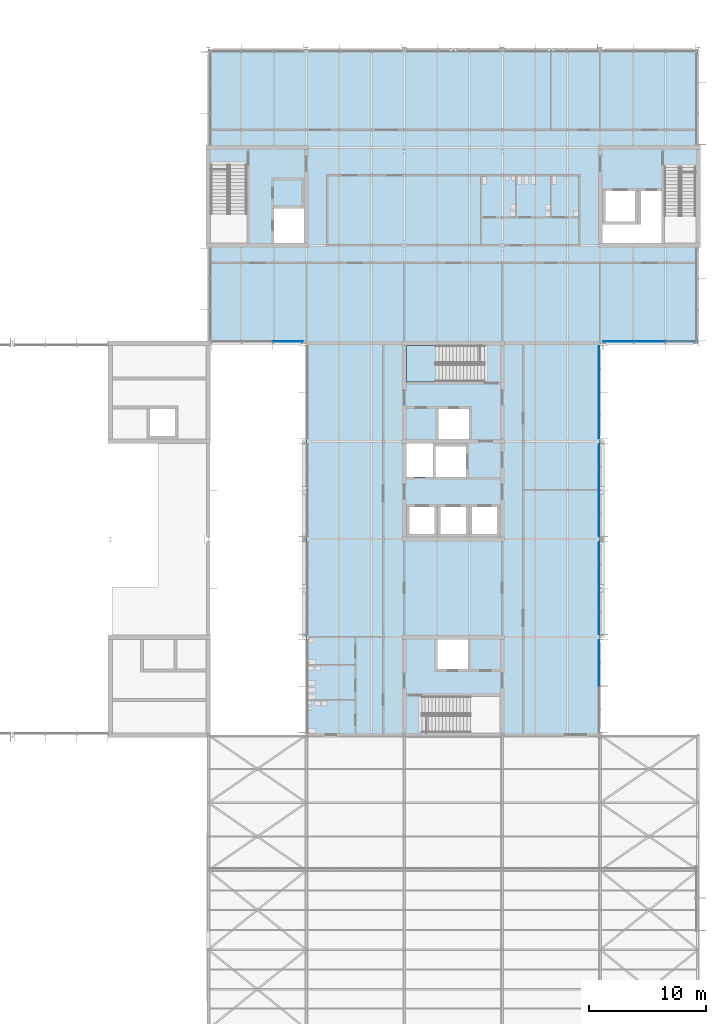
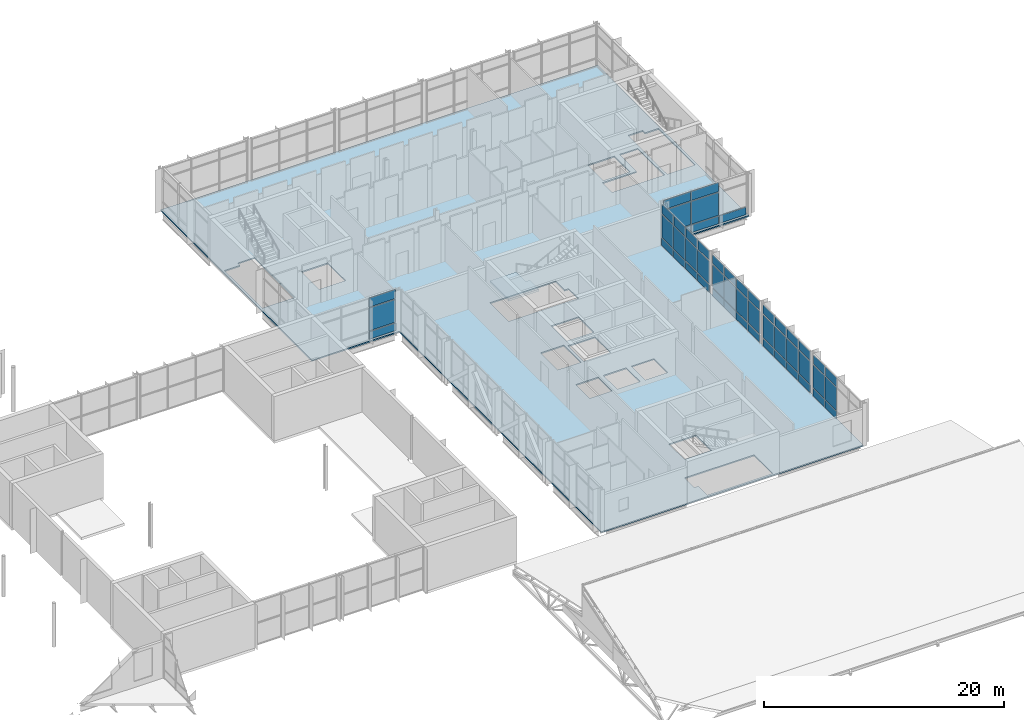
# One storey, part 43 of 89: 52 plates, 2 slabs, 7 elements without a shape of their own.
"""IFC4 building model written with IfcOpenShell, lengths in metres."""

from ifc_helpers import new_model, si_unit, direction, frame, origin, origin_2d, place, context, subcontext, project, spatial, polyline, rectangle, outline, extrude, material, layer, layer_set, type_object, element, aggregate, save


model = new_model("IFC4")

# Units and contexts
model_context = context("Model", 3, precision=1e-05, world=origin(), true_north=direction((0.0, 1.0)))
body_context = subcontext(model_context, "Body", "Model", "MODEL_VIEW")
ifc_project = project(units=[si_unit("LENGTHUNIT", "METRE"), si_unit("AREAUNIT", "SQUARE_METRE"), si_unit("VOLUMEUNIT", "CUBIC_METRE"), si_unit("PLANEANGLEUNIT", "RADIAN"), si_unit("MASSUNIT", "GRAM", prefix="KILO")], contexts=[model_context])

# Site, building, storey
site_placement = place(None, origin())
site = spatial("IfcSite", under=ifc_project, at=site_placement, CompositionType="ELEMENT")
building_placement = place(site_placement, origin())
building = spatial("IfcBuilding", under=site, at=building_placement, Name="Hlaing Beacon Police Headquarters", CompositionType="ELEMENT")
storey_placement = place(building_placement, frame((0.0, 0.0, 9.89990234375)))
storey = spatial("IfcBuildingStorey", under=building, at=storey_placement, Name="L02", CompositionType="ELEMENT", Elevation=9.89990234375)

# Curtain wall, plate
ifc_material_1 = material(Name="Aluminium frame with solar control glazing", Category="aluminium")
curtain_wall_type_1 = type_object("IfcCurtainWallType", Name="Unitised curtain wall 7.99 x 4.37", PredefinedType="NOTDEFINED", material=ifc_material_1)
curtain_wall_1_placement = place(storey_placement, origin())
curtain_wall_1 = element("IfcCurtainWall", 1, at=curtain_wall_1_placement, inside=storey, type_object=curtain_wall_type_1, Name="ENV-CW-L02-E015", PredefinedType="NOTDEFINED")
ifc_material_2 = material(Name="Solar control glazing", Category="glass")
ifc_layer_1 = layer(ifc_material_2, 0.0439453125)
ifc_layer_set_1 = layer_set([ifc_layer_1], Name="Solar control glazing")
plate_type_1 = type_object("IfcPlateType", Name="Clear glazing panel 44", PredefinedType="CURTAIN_PANEL", material=ifc_layer_set_1)
plate_1_placement = place(storey_placement, frame((125.89990234375, 40.792724609375, 0.9501953125), z_axis=(0.0, 0.0, 1.0), x_axis=(0.0, 1.0, 0.0)))
plate_1 = element("IfcPlate", 2, at=plate_1_placement, type_object=plate_type_1, Name="CW-L02-E015 panel 4.2", PredefinedType="CURTAIN_PANEL", context=body_context, shape_type="SweptSolid", body=[
    extrude(rectangle(XDim=1.90869140625, YDim=0.0439453125, at=origin_2d()), origin(), (0.0, 0.0, 1.0), 2.300048828125),
])

# Curtain wall, plates
ifc_material_3 = material(Name="Aluminium frame with solar control glazing", Category="aluminium")
curtain_wall_type_2 = type_object("IfcCurtainWallType", Name="Unitised curtain wall 8.01 x 4.37", PredefinedType="NOTDEFINED", material=ifc_material_3)
curtain_wall_2_placement = place(storey_placement, origin())
curtain_wall_2 = element("IfcCurtainWall", 3, at=curtain_wall_2_placement, inside=storey, type_object=curtain_wall_type_2, Name="ENV-CW-L02-E016", PredefinedType="NOTDEFINED")
plate_2_placement = place(storey_placement, frame((125.909912109375, 45.1982421875, 0.9501953125), z_axis=(0.0, 0.0, 1.0), x_axis=(0.0, 1.0, 0.0)))
plate_2 = element("IfcPlate", 4, at=plate_2_placement, type_object=plate_type_1, Name="CW-L02-E016 panel 2.2", PredefinedType="CURTAIN_PANEL", context=body_context, shape_type="SweptSolid", body=[
    extrude(rectangle(XDim=1.943603515625, YDim=0.0439453125, at=origin_2d()), origin(), (0.0, 0.0, 1.0), 2.300048828125),
])
plate_3_placement = place(storey_placement, frame((125.909912109375, 49.190185546875, 0.9501953125), z_axis=(0.0, 0.0, 1.0), x_axis=(0.0, 1.0, 0.0)))
plate_3 = element("IfcPlate", 5, at=plate_3_placement, type_object=plate_type_1, Name="CW-L02-E016 panel 4.2", PredefinedType="CURTAIN_PANEL", context=body_context, shape_type="SweptSolid", body=[
    extrude(rectangle(XDim=1.91357421875, YDim=0.0439453125, at=origin_2d()), origin(), (0.0, 0.0, 1.0), 2.300048828125),
])

curtain_wall_3_placement = place(storey_placement, origin())
curtain_wall_3 = element("IfcCurtainWall", 6, at=curtain_wall_3_placement, inside=storey, type_object=curtain_wall_type_2, Name="ENV-CW-L02-E017", PredefinedType="NOTDEFINED")
plate_4_placement = place(storey_placement, frame((125.909912109375, 53.59814453125, 0.9501953125), z_axis=(0.0, 0.0, 1.0), x_axis=(0.0, 1.0, 0.0)))
plate_4 = element("IfcPlate", 7, at=plate_4_placement, type_object=plate_type_1, Name="CW-L02-E017 panel 2.2", PredefinedType="CURTAIN_PANEL", context=body_context, shape_type="SweptSolid", body=[
    extrude(rectangle(XDim=1.943603515625, YDim=0.0439453125, at=origin_2d()), origin(), (0.0, 0.0, 1.0), 2.300048828125),
])
plate_5_placement = place(storey_placement, frame((125.909912109375, 57.59033203125, 0.9501953125), z_axis=(0.0, 0.0, 1.0), x_axis=(0.0, 1.0, 0.0)))
plate_5 = element("IfcPlate", 8, at=plate_5_placement, type_object=plate_type_1, Name="CW-L02-E017 panel 4.2", PredefinedType="CURTAIN_PANEL", context=body_context, shape_type="SweptSolid", body=[
    extrude(rectangle(XDim=1.91357421875, YDim=0.0439453125, at=origin_2d()), origin(), (0.0, 0.0, 1.0), 2.300048828125),
])

ifc_material_4 = material(Name="Aluminium frame with solar control glazing", Category="aluminium")
curtain_wall_type_3 = type_object("IfcCurtainWallType", Name="Unitised curtain wall 8.02 x 4.37", PredefinedType="NOTDEFINED", material=ifc_material_4)
curtain_wall_4_placement = place(storey_placement, origin())
curtain_wall_4 = element("IfcCurtainWall", 9, at=curtain_wall_4_placement, inside=storey, type_object=curtain_wall_type_3, Name="ENV-CW-L02-E018", PredefinedType="NOTDEFINED")
plate_6_placement = place(storey_placement, frame((125.89990234375, 62.000244140625, 0.9501953125), z_axis=(0.0, 0.0, 1.0), x_axis=(0.0, 1.0, 0.0)))
plate_6 = element("IfcPlate", 10, at=plate_6_placement, type_object=plate_type_1, Name="CW-L02-E018 panel 2.2", PredefinedType="CURTAIN_PANEL", context=body_context, shape_type="SweptSolid", body=[
    extrude(rectangle(XDim=1.94482421875, YDim=0.0439453125, at=origin_2d()), origin(), (0.0, 0.0, 1.0), 2.300048828125),
])
plate_7_placement = place(storey_placement, frame((125.89990234375, 65.99462890625, 0.9501953125), z_axis=(0.0, 0.0, 1.0), x_axis=(0.0, 1.0, 0.0)))
plate_7 = element("IfcPlate", 11, at=plate_7_placement, type_object=plate_type_1, Name="CW-L02-E018 panel 4.2", PredefinedType="CURTAIN_PANEL", context=body_context, shape_type="SweptSolid", body=[
    extrude(rectangle(XDim=1.914794921875, YDim=0.0439453125, at=origin_2d()), origin(), (0.0, 0.0, 1.0), 2.300048828125),
])

# Slab
ifc_material_5 = material(Name="Concrete C40/50", Category="concrete")
ifc_layer_2 = layer(ifc_material_5, 0.1298828125)
ifc_layer_set_2 = layer_set([ifc_layer_2], Name="Concrete C40/50")
slab_type_1 = type_object("IfcSlabType", Name="Composite deck slab 130", PredefinedType="FLOOR", material=ifc_layer_set_2)
slab_1_placement = place(storey_placement, frame((0.0, 0.0, -0.1298828125)))
element("IfcSlab", 12, at=slab_1_placement, inside=storey, type_object=slab_type_1, Name="STR-SLAB-L02-02", PredefinedType="FLOOR", context=body_context, shape_type="SweptSolid", body=[
    extrude(outline(polyline([(100.800048828125, 33.60009765625), (126.0, 33.60009765625), (126.0, 67.199951171875), (134.39990234375, 67.199951171875), (134.39990234375, 92.39990234375), (92.39990234375, 92.39990234375), (92.39990234375, 67.199951171875), (100.800048828125, 67.199951171875), (100.800048828125, 33.60009765625)]), holes=[polyline([(92.60009765625, 75.800048828125), (95.699951171875, 75.800048828125), (95.699951171875, 82.489990234375), (94.10009765625, 82.489990234375), (94.10009765625, 82.10009765625), (92.60009765625, 82.10009765625), (92.60009765625, 75.800048828125)]), polyline([(98.050048828125, 75.800048828125), (100.60009765625, 75.800048828125), (100.60009765625, 78.75), (98.050048828125, 78.75), (98.050048828125, 75.800048828125)]), polyline([(109.39990234375, 55.75), (111.64990234375, 55.75), (111.64990234375, 58.60009765625), (109.39990234375, 58.60009765625), (109.39990234375, 55.75)]), polyline([(109.39990234375, 63.89990234375), (116.090087890625, 63.89990234375), (116.090087890625, 65.5), (115.699951171875, 65.5), (115.699951171875, 67.0), (109.39990234375, 67.0), (109.39990234375, 63.89990234375)]), polyline([(109.64990234375, 50.85009765625), (111.800048828125, 50.85009765625), (111.800048828125, 53.14990234375), (109.64990234375, 53.14990234375), (109.64990234375, 50.85009765625)]), polyline([(111.10009765625, 33.800048828125), (117.39990234375, 33.800048828125), (117.39990234375, 36.89990234375), (110.7099609375, 36.89990234375), (110.7099609375, 35.300048828125), (111.10009765625, 35.300048828125), (111.10009765625, 33.800048828125)]), polyline([(111.89990234375, 55.75), (114.5, 55.75), (114.5, 58.35009765625), (111.89990234375, 58.35009765625), (111.89990234375, 55.75)]), polyline([(112.050048828125, 39.25), (114.64990234375, 39.25), (114.64990234375, 41.800048828125), (112.050048828125, 41.800048828125), (112.050048828125, 39.25)]), polyline([(112.14990234375, 59.0), (114.75, 59.0), (114.75, 61.550048828125), (112.14990234375, 61.550048828125), (112.14990234375, 59.0)]), polyline([(112.300048828125, 50.85009765625), (114.5, 50.85009765625), (114.5, 53.14990234375), (112.300048828125, 53.14990234375), (112.300048828125, 50.85009765625)]), polyline([(115.0, 50.85009765625), (117.14990234375, 50.85009765625), (117.14990234375, 53.14990234375), (115.0, 53.14990234375), (115.0, 50.85009765625)]), polyline([(126.199951171875, 75.800048828125), (131.25, 75.800048828125), (131.25, 80.25), (129.5, 80.25), (129.5, 77.39990234375), (126.199951171875, 77.39990234375), (126.199951171875, 75.800048828125)]), polyline([(126.449951171875, 77.64990234375), (129.0, 77.64990234375), (129.0, 80.25), (126.449951171875, 80.25), (126.449951171875, 77.64990234375)]), polyline([(131.5, 75.800048828125), (134.199951171875, 75.800048828125), (134.199951171875, 81.89990234375), (132.89990234375, 81.89990234375), (132.89990234375, 82.2900390625), (131.5, 82.2900390625), (131.5, 75.800048828125)])]), origin(), (0.0, 0.0, 1.0), 0.1298828125),
])

# Plate
ifc_material_6 = material(Name="Fritted solar control glazing", Category="glass")
ifc_layer_3 = layer(ifc_material_6, 0.0439453125)
ifc_layer_set_3 = layer_set([ifc_layer_3], Name="Fritted solar control glazing")
plate_type_2 = type_object("IfcPlateType", Name="Fritted glazing panel 44", PredefinedType="CURTAIN_PANEL", material=ifc_layer_set_3)
plate_8_placement = place(storey_placement, frame((125.89990234375, 38.808837890625, 0.9501953125), z_axis=(0.0, 0.0, 1.0), x_axis=(0.0, 1.0, 0.0)))
plate_8 = element("IfcPlate", 13, at=plate_8_placement, type_object=plate_type_2, Name="CW-L02-E015 panel 3.2", PredefinedType="CURTAIN_PANEL", context=body_context, shape_type="SweptSolid", body=[
    extrude(rectangle(XDim=1.938720703125, YDim=0.0439453125, at=origin_2d()), origin(), (0.0, 0.0, 1.0), 2.300048828125),
])

plate_9_placement = place(storey_placement, frame((125.909912109375, 43.209716796875, 0.9501953125), z_axis=(0.0, 0.0, 1.0), x_axis=(0.0, 1.0, 0.0)))
plate_9 = element("IfcPlate", 14, at=plate_9_placement, type_object=plate_type_2, Name="CW-L02-E016 panel 1.2", PredefinedType="CURTAIN_PANEL", context=body_context, shape_type="SweptSolid", body=[
    extrude(rectangle(XDim=1.91357421875, YDim=0.0439453125, at=origin_2d()), origin(), (0.0, 0.0, 1.0), 2.300048828125),
])

plate_10_placement = place(storey_placement, frame((125.909912109375, 47.20166015625, 0.9501953125), z_axis=(0.0, 0.0, 1.0), x_axis=(0.0, 1.0, 0.0)))
plate_10 = element("IfcPlate", 15, at=plate_10_placement, type_object=plate_type_2, Name="CW-L02-E016 panel 3.2", PredefinedType="CURTAIN_PANEL", context=body_context, shape_type="SweptSolid", body=[
    extrude(rectangle(XDim=1.943603515625, YDim=0.0439453125, at=origin_2d()), origin(), (0.0, 0.0, 1.0), 2.300048828125),
])

plate_11_placement = place(storey_placement, frame((125.909912109375, 51.60986328125, 0.9501953125), z_axis=(0.0, 0.0, 1.0), x_axis=(0.0, 1.0, 0.0)))
plate_11 = element("IfcPlate", 16, at=plate_11_placement, type_object=plate_type_2, Name="CW-L02-E017 panel 1.2", PredefinedType="CURTAIN_PANEL", context=body_context, shape_type="SweptSolid", body=[
    extrude(rectangle(XDim=1.91357421875, YDim=0.0439453125, at=origin_2d()), origin(), (0.0, 0.0, 1.0), 2.300048828125),
])

plate_12_placement = place(storey_placement, frame((125.909912109375, 55.601806640625, 0.9501953125), z_axis=(0.0, 0.0, 1.0), x_axis=(0.0, 1.0, 0.0)))
plate_12 = element("IfcPlate", 17, at=plate_12_placement, type_object=plate_type_2, Name="CW-L02-E017 panel 3.2", PredefinedType="CURTAIN_PANEL", context=body_context, shape_type="SweptSolid", body=[
    extrude(rectangle(XDim=1.943603515625, YDim=0.0439453125, at=origin_2d()), origin(), (0.0, 0.0, 1.0), 2.300048828125),
])

plate_13_placement = place(storey_placement, frame((125.89990234375, 60.01025390625, 0.9501953125), z_axis=(0.0, 0.0, 1.0), x_axis=(0.0, 1.0, 0.0)))
plate_13 = element("IfcPlate", 18, at=plate_13_placement, type_object=plate_type_2, Name="CW-L02-E018 panel 1.2", PredefinedType="CURTAIN_PANEL", context=body_context, shape_type="SweptSolid", body=[
    extrude(rectangle(XDim=1.914794921875, YDim=0.0439453125, at=origin_2d()), origin(), (0.0, 0.0, 1.0), 2.300048828125),
])

plate_14_placement = place(storey_placement, frame((125.89990234375, 64.0048828125, 0.9501953125), z_axis=(0.0, 0.0, 1.0), x_axis=(0.0, 1.0, 0.0)))
plate_14 = element("IfcPlate", 19, at=plate_14_placement, type_object=plate_type_2, Name="CW-L02-E018 panel 3.2", PredefinedType="CURTAIN_PANEL", context=body_context, shape_type="SweptSolid", body=[
    extrude(rectangle(XDim=1.94482421875, YDim=0.0439453125, at=origin_2d()), origin(), (0.0, 0.0, 1.0), 2.300048828125),
])

ifc_material_7 = material(Name="Insulated aluminium spandrel", Category="aluminium")
ifc_layer_4 = layer(ifc_material_7, 0.06005859375)
ifc_layer_set_4 = layer_set([ifc_layer_4], Name="Insulated aluminium spandrel")
plate_type_3 = type_object("IfcPlateType", Name="Insulated spandrel panel 60", PredefinedType="CURTAIN_PANEL", material=ifc_layer_set_4)
plate_15_placement = place(storey_placement, frame((125.89990234375, 38.808837890625, 0.10009765625), z_axis=(0.0, 0.0, 1.0), x_axis=(0.0, 1.0, 0.0)))
plate_15 = element("IfcPlate", 20, at=plate_15_placement, type_object=plate_type_3, Name="CW-L02-E015 panel 3.1", PredefinedType="CURTAIN_PANEL", context=body_context, shape_type="SweptSolid", body=[
    extrude(rectangle(XDim=1.938720703125, YDim=0.06005859375, at=origin_2d()), origin(), (0.0, 0.0, 1.0), 0.75),
])

plate_16_placement = place(storey_placement, frame((125.89990234375, 40.792724609375, 0.10009765625), z_axis=(0.0, 0.0, 1.0), x_axis=(0.0, 1.0, 0.0)))
plate_16 = element("IfcPlate", 21, at=plate_16_placement, type_object=plate_type_3, Name="CW-L02-E015 panel 4.1", PredefinedType="CURTAIN_PANEL", context=body_context, shape_type="SweptSolid", body=[
    extrude(rectangle(XDim=1.90869140625, YDim=0.06005859375, at=origin_2d()), origin(), (0.0, 0.0, 1.0), 0.75),
])

plate_17_placement = place(storey_placement, frame((125.909912109375, 43.209716796875, 0.10009765625), z_axis=(0.0, 0.0, 1.0), x_axis=(0.0, 1.0, 0.0)))
plate_17 = element("IfcPlate", 22, at=plate_17_placement, type_object=plate_type_3, Name="CW-L02-E016 panel 1.1", PredefinedType="CURTAIN_PANEL", context=body_context, shape_type="SweptSolid", body=[
    extrude(rectangle(XDim=1.91357421875, YDim=0.06005859375, at=origin_2d()), origin(), (0.0, 0.0, 1.0), 0.75),
])

plate_18_placement = place(storey_placement, frame((125.909912109375, 45.1982421875, 0.10009765625), z_axis=(0.0, 0.0, 1.0), x_axis=(0.0, 1.0, 0.0)))
plate_18 = element("IfcPlate", 23, at=plate_18_placement, type_object=plate_type_3, Name="CW-L02-E016 panel 2.1", PredefinedType="CURTAIN_PANEL", context=body_context, shape_type="SweptSolid", body=[
    extrude(rectangle(XDim=1.943603515625, YDim=0.06005859375, at=origin_2d()), origin(), (0.0, 0.0, 1.0), 0.75),
])

plate_19_placement = place(storey_placement, frame((125.909912109375, 47.20166015625, 0.10009765625), z_axis=(0.0, 0.0, 1.0), x_axis=(0.0, 1.0, 0.0)))
plate_19 = element("IfcPlate", 24, at=plate_19_placement, type_object=plate_type_3, Name="CW-L02-E016 panel 3.1", PredefinedType="CURTAIN_PANEL", context=body_context, shape_type="SweptSolid", body=[
    extrude(rectangle(XDim=1.943603515625, YDim=0.06005859375, at=origin_2d()), origin(), (0.0, 0.0, 1.0), 0.75),
])

plate_20_placement = place(storey_placement, frame((125.909912109375, 49.190185546875, 0.10009765625), z_axis=(0.0, 0.0, 1.0), x_axis=(0.0, 1.0, 0.0)))
plate_20 = element("IfcPlate", 25, at=plate_20_placement, type_object=plate_type_3, Name="CW-L02-E016 panel 4.1", PredefinedType="CURTAIN_PANEL", context=body_context, shape_type="SweptSolid", body=[
    extrude(rectangle(XDim=1.91357421875, YDim=0.06005859375, at=origin_2d()), origin(), (0.0, 0.0, 1.0), 0.75),
])

plate_21_placement = place(storey_placement, frame((125.909912109375, 51.60986328125, 0.10009765625), z_axis=(0.0, 0.0, 1.0), x_axis=(0.0, 1.0, 0.0)))
plate_21 = element("IfcPlate", 26, at=plate_21_placement, type_object=plate_type_3, Name="CW-L02-E017 panel 1.1", PredefinedType="CURTAIN_PANEL", context=body_context, shape_type="SweptSolid", body=[
    extrude(rectangle(XDim=1.91357421875, YDim=0.06005859375, at=origin_2d()), origin(), (0.0, 0.0, 1.0), 0.75),
])

plate_22_placement = place(storey_placement, frame((125.909912109375, 53.59814453125, 0.10009765625), z_axis=(0.0, 0.0, 1.0), x_axis=(0.0, 1.0, 0.0)))
plate_22 = element("IfcPlate", 27, at=plate_22_placement, type_object=plate_type_3, Name="CW-L02-E017 panel 2.1", PredefinedType="CURTAIN_PANEL", context=body_context, shape_type="SweptSolid", body=[
    extrude(rectangle(XDim=1.943603515625, YDim=0.06005859375, at=origin_2d()), origin(), (0.0, 0.0, 1.0), 0.75),
])

plate_23_placement = place(storey_placement, frame((125.909912109375, 55.601806640625, 0.10009765625), z_axis=(0.0, 0.0, 1.0), x_axis=(0.0, 1.0, 0.0)))
plate_23 = element("IfcPlate", 28, at=plate_23_placement, type_object=plate_type_3, Name="CW-L02-E017 panel 3.1", PredefinedType="CURTAIN_PANEL", context=body_context, shape_type="SweptSolid", body=[
    extrude(rectangle(XDim=1.943603515625, YDim=0.06005859375, at=origin_2d()), origin(), (0.0, 0.0, 1.0), 0.75),
])

plate_24_placement = place(storey_placement, frame((125.909912109375, 57.59033203125, 0.10009765625), z_axis=(0.0, 0.0, 1.0), x_axis=(0.0, 1.0, 0.0)))
plate_24 = element("IfcPlate", 29, at=plate_24_placement, type_object=plate_type_3, Name="CW-L02-E017 panel 4.1", PredefinedType="CURTAIN_PANEL", context=body_context, shape_type="SweptSolid", body=[
    extrude(rectangle(XDim=1.91357421875, YDim=0.06005859375, at=origin_2d()), origin(), (0.0, 0.0, 1.0), 0.75),
])

plate_25_placement = place(storey_placement, frame((125.89990234375, 60.01025390625, 0.10009765625), z_axis=(0.0, 0.0, 1.0), x_axis=(0.0, 1.0, 0.0)))
plate_25 = element("IfcPlate", 30, at=plate_25_placement, type_object=plate_type_3, Name="CW-L02-E018 panel 1.1", PredefinedType="CURTAIN_PANEL", context=body_context, shape_type="SweptSolid", body=[
    extrude(rectangle(XDim=1.914794921875, YDim=0.06005859375, at=origin_2d()), origin(), (0.0, 0.0, 1.0), 0.75),
])

plate_26_placement = place(storey_placement, frame((125.89990234375, 62.000244140625, 0.10009765625), z_axis=(0.0, 0.0, 1.0), x_axis=(0.0, 1.0, 0.0)))
plate_26 = element("IfcPlate", 31, at=plate_26_placement, type_object=plate_type_3, Name="CW-L02-E018 panel 2.1", PredefinedType="CURTAIN_PANEL", context=body_context, shape_type="SweptSolid", body=[
    extrude(rectangle(XDim=1.94482421875, YDim=0.06005859375, at=origin_2d()), origin(), (0.0, 0.0, 1.0), 0.75),
])

plate_27_placement = place(storey_placement, frame((125.89990234375, 64.0048828125, 0.10009765625), z_axis=(0.0, 0.0, 1.0), x_axis=(0.0, 1.0, 0.0)))
plate_27 = element("IfcPlate", 32, at=plate_27_placement, type_object=plate_type_3, Name="CW-L02-E018 panel 3.1", PredefinedType="CURTAIN_PANEL", context=body_context, shape_type="SweptSolid", body=[
    extrude(rectangle(XDim=1.94482421875, YDim=0.06005859375, at=origin_2d()), origin(), (0.0, 0.0, 1.0), 0.75),
])

plate_28_placement = place(storey_placement, frame((125.89990234375, 65.99462890625, 0.10009765625), z_axis=(0.0, 0.0, 1.0), x_axis=(0.0, 1.0, 0.0)))
plate_28 = element("IfcPlate", 33, at=plate_28_placement, type_object=plate_type_3, Name="CW-L02-E018 panel 4.1", PredefinedType="CURTAIN_PANEL", context=body_context, shape_type="SweptSolid", body=[
    extrude(rectangle(XDim=1.914794921875, YDim=0.06005859375, at=origin_2d()), origin(), (0.0, 0.0, 1.0), 0.75),
])

# Curtain wall, plates
ifc_material_8 = material(Name="Aluminium frame with solar control glazing", Category="aluminium")
curtain_wall_type_4 = type_object("IfcCurtainWallType", Name="Structural glazed gable wall 8.08 x 4.37", PredefinedType="NOTDEFINED", material=ifc_material_8)
curtain_wall_5_placement = place(storey_placement, origin())
curtain_wall_5 = element("IfcCurtainWall", 34, at=curtain_wall_5_placement, inside=storey, type_object=curtain_wall_type_4, Name="ENV-CW-L02-S019", PredefinedType="NOTDEFINED")
ifc_material_9 = material(Name="Insulated aluminium spandrel", Category="aluminium")
ifc_layer_5 = layer(ifc_material_9, 0.080078125)
ifc_layer_set_5 = layer_set([ifc_layer_5], Name="Insulated aluminium spandrel")
plate_type_4 = type_object("IfcPlateType", Name="Insulated spandrel panel 80", PredefinedType="CURTAIN_PANEL", material=ifc_layer_set_5)
plate_29_placement = place(storey_placement, frame((127.562744140625, 67.35009765625, 0.10009765625), z_axis=(0.0, 0.0, 1.0), x_axis=(1.0, 0.0, 0.0)))
plate_29 = element("IfcPlate", 35, at=plate_29_placement, type_object=plate_type_4, Name="CW-L02-S019 panel 1.1", PredefinedType="CURTAIN_PANEL", context=body_context, shape_type="SweptSolid", body=[
    extrude(rectangle(XDim=2.572021484375, YDim=0.080078125, at=origin_2d()), origin(), (0.0, 0.0, 1.0), 0.75),
])
plate_30_placement = place(storey_placement, frame((130.23486328125, 67.35009765625, 0.10009765625), z_axis=(0.0, 0.0, 1.0), x_axis=(1.0, 0.0, 0.0)))
plate_30 = element("IfcPlate", 36, at=plate_30_placement, type_object=plate_type_4, Name="CW-L02-S019 panel 2.1", PredefinedType="CURTAIN_PANEL", context=body_context, shape_type="SweptSolid", body=[
    extrude(rectangle(XDim=2.612060546875, YDim=0.080078125, at=origin_2d()), origin(), (0.0, 0.0, 1.0), 0.75),
])
plate_31_placement = place(storey_placement, frame((132.906982421875, 67.35009765625, 0.10009765625), z_axis=(0.0, 0.0, 1.0), x_axis=(1.0, 0.0, 0.0)))
plate_31 = element("IfcPlate", 37, at=plate_31_placement, type_object=plate_type_4, Name="CW-L02-S019 panel 3.1", PredefinedType="CURTAIN_PANEL", context=body_context, shape_type="SweptSolid", body=[
    extrude(rectangle(XDim=2.572021484375, YDim=0.080078125, at=origin_2d()), origin(), (0.0, 0.0, 1.0), 0.75),
])

# Curtain wall, plate
ifc_material_10 = material(Name="Aluminium frame with solar control glazing", Category="aluminium")
curtain_wall_type_5 = type_object("IfcCurtainWallType", Name="Structural glazed gable wall 8.00 x 4.37", PredefinedType="NOTDEFINED", material=ifc_material_10)
curtain_wall_6_placement = place(storey_placement, origin())
curtain_wall_6 = element("IfcCurtainWall", 38, at=curtain_wall_6_placement, inside=storey, type_object=curtain_wall_type_5, Name="ENV-CW-L02-S029", PredefinedType="NOTDEFINED")
plate_32_placement = place(storey_placement, frame((99.249267578125, 67.35009765625, 0.10009765625), z_axis=(0.0, 0.0, 1.0), x_axis=(1.0, 0.0, 0.0)))
plate_32 = element("IfcPlate", 39, at=plate_32_placement, type_object=plate_type_4, Name="CW-L02-S029 panel 3.1", PredefinedType="CURTAIN_PANEL", context=body_context, shape_type="SweptSolid", body=[
    extrude(rectangle(XDim=2.5478515625, YDim=0.080078125, at=origin_2d()), origin(), (0.0, 0.0, 1.0), 0.75),
])

# Plate
ifc_material_11 = material(Name="Laminated solar control glazing", Category="glass")
ifc_layer_6 = layer(ifc_material_11, 0.031982421875)
ifc_layer_set_6 = layer_set([ifc_layer_6], Name="Laminated solar control glazing")
plate_type_5 = type_object("IfcPlateType", Name="Laminated glazing panel 32", PredefinedType="CURTAIN_PANEL", material=ifc_layer_set_6)
plate_33_placement = place(storey_placement, frame((127.562744140625, 67.35009765625, 3.35009765625), z_axis=(0.0, 0.0, 1.0), x_axis=(1.0, 0.0, 0.0)))
plate_33 = element("IfcPlate", 40, at=plate_33_placement, type_object=plate_type_5, Name="CW-L02-S019 panel 1.3", PredefinedType="CURTAIN_PANEL", context=body_context, shape_type="SweptSolid", body=[
    extrude(rectangle(XDim=2.572021484375, YDim=0.031982421875, at=origin_2d()), origin(), (0.0, 0.0, 1.0), 0.919921875),
])

plate_34_placement = place(storey_placement, frame((130.23486328125, 67.35009765625, 3.35009765625), z_axis=(0.0, 0.0, 1.0), x_axis=(1.0, 0.0, 0.0)))
plate_34 = element("IfcPlate", 41, at=plate_34_placement, type_object=plate_type_5, Name="CW-L02-S019 panel 2.3", PredefinedType="CURTAIN_PANEL", context=body_context, shape_type="SweptSolid", body=[
    extrude(rectangle(XDim=2.612060546875, YDim=0.031982421875, at=origin_2d()), origin(), (0.0, 0.0, 1.0), 0.919921875),
])

plate_35_placement = place(storey_placement, frame((99.249267578125, 67.35009765625, 3.35009765625), z_axis=(0.0, 0.0, 1.0), x_axis=(1.0, 0.0, 0.0)))
plate_35 = element("IfcPlate", 42, at=plate_35_placement, type_object=plate_type_5, Name="CW-L02-S029 panel 3.3", PredefinedType="CURTAIN_PANEL", context=body_context, shape_type="SweptSolid", body=[
    extrude(rectangle(XDim=2.5478515625, YDim=0.031982421875, at=origin_2d()), origin(), (0.0, 0.0, 1.0), 0.919921875),
])

ifc_material_12 = material(Name="Laminated solar control glazing", Category="glass")
ifc_layer_7 = layer(ifc_material_12, 0.0439453125)
ifc_layer_set_7 = layer_set([ifc_layer_7], Name="Laminated solar control glazing")
plate_type_6 = type_object("IfcPlateType", Name="Laminated glazing panel 44", PredefinedType="CURTAIN_PANEL", material=ifc_layer_set_7)
plate_36_placement = place(storey_placement, frame((99.249267578125, 67.35009765625, 0.9501953125), z_axis=(0.0, 0.0, 1.0), x_axis=(1.0, 0.0, 0.0)))
plate_36 = element("IfcPlate", 43, at=plate_36_placement, type_object=plate_type_6, Name="CW-L02-S029 panel 3.2", PredefinedType="CURTAIN_PANEL", context=body_context, shape_type="SweptSolid", body=[
    extrude(rectangle(XDim=2.5478515625, YDim=0.0439453125, at=origin_2d()), origin(), (0.0, 0.0, 1.0), 2.300048828125),
])

aggregate(curtain_wall_6, [plate_32, plate_36, plate_35])

ifc_material_13 = material(Name="Laminated solar control glazing", Category="glass")
ifc_layer_8 = layer(ifc_material_13, 0.06591796875)
ifc_layer_set_8 = layer_set([ifc_layer_8], Name="Laminated solar control glazing")
plate_type_7 = type_object("IfcPlateType", Name="Laminated glazing panel 66", PredefinedType="CURTAIN_PANEL", material=ifc_layer_set_8)
plate_37_placement = place(storey_placement, frame((127.562744140625, 67.35009765625, 0.9501953125), z_axis=(0.0, 0.0, 1.0), x_axis=(1.0, 0.0, 0.0)))
plate_37 = element("IfcPlate", 44, at=plate_37_placement, type_object=plate_type_7, Name="CW-L02-S019 panel 1.2", PredefinedType="CURTAIN_PANEL", context=body_context, shape_type="SweptSolid", body=[
    extrude(rectangle(XDim=2.572021484375, YDim=0.06591796875, at=origin_2d()), origin(), (0.0, 0.0, 1.0), 2.300048828125),
])

plate_38_placement = place(storey_placement, frame((130.23486328125, 67.35009765625, 0.9501953125), z_axis=(0.0, 0.0, 1.0), x_axis=(1.0, 0.0, 0.0)))
plate_38 = element("IfcPlate", 45, at=plate_38_placement, type_object=plate_type_7, Name="CW-L02-S019 panel 2.2", PredefinedType="CURTAIN_PANEL", context=body_context, shape_type="SweptSolid", body=[
    extrude(rectangle(XDim=2.612060546875, YDim=0.06591796875, at=origin_2d()), origin(), (0.0, 0.0, 1.0), 2.300048828125),
])

aggregate(curtain_wall_5, [plate_29, plate_37, plate_33, plate_30, plate_38, plate_34, plate_31])

ifc_material_14 = material(Name="Perforated aluminium", Category="aluminium")
ifc_layer_9 = layer(ifc_material_14, 0.00390625)
ifc_layer_set_9 = layer_set([ifc_layer_9], Name="Perforated aluminium")
plate_type_8 = type_object("IfcPlateType", Name="Perforated aluminium vent panel 4", PredefinedType="CURTAIN_PANEL", material=ifc_layer_set_9)
plate_39_placement = place(storey_placement, frame((125.89990234375, 38.808837890625, 3.35009765625), z_axis=(0.0, 0.0, 1.0), x_axis=(0.0, 1.0, 0.0)))
plate_39 = element("IfcPlate", 46, at=plate_39_placement, type_object=plate_type_8, Name="CW-L02-E015 panel 3.3", PredefinedType="CURTAIN_PANEL", context=body_context, shape_type="SweptSolid", body=[
    extrude(rectangle(XDim=1.938720703125, YDim=0.00390625, at=origin_2d()), origin(), (0.0, 0.0, 1.0), 0.919921875),
])

plate_40_placement = place(storey_placement, frame((125.89990234375, 40.792724609375, 3.35009765625), z_axis=(0.0, 0.0, 1.0), x_axis=(0.0, 1.0, 0.0)))
plate_40 = element("IfcPlate", 47, at=plate_40_placement, type_object=plate_type_8, Name="CW-L02-E015 panel 4.3", PredefinedType="CURTAIN_PANEL", context=body_context, shape_type="SweptSolid", body=[
    extrude(rectangle(XDim=1.90869140625, YDim=0.00390625, at=origin_2d()), origin(), (0.0, 0.0, 1.0), 0.919921875),
])

aggregate(curtain_wall_1, [plate_15, plate_8, plate_39, plate_16, plate_1, plate_40])

plate_41_placement = place(storey_placement, frame((125.909912109375, 43.209716796875, 3.35009765625), z_axis=(0.0, 0.0, 1.0), x_axis=(0.0, 1.0, 0.0)))
plate_41 = element("IfcPlate", 48, at=plate_41_placement, type_object=plate_type_8, Name="CW-L02-E016 panel 1.3", PredefinedType="CURTAIN_PANEL", context=body_context, shape_type="SweptSolid", body=[
    extrude(rectangle(XDim=1.91357421875, YDim=0.00390625, at=origin_2d()), origin(), (0.0, 0.0, 1.0), 0.919921875),
])

plate_42_placement = place(storey_placement, frame((125.909912109375, 45.1982421875, 3.35009765625), z_axis=(0.0, 0.0, 1.0), x_axis=(0.0, 1.0, 0.0)))
plate_42 = element("IfcPlate", 49, at=plate_42_placement, type_object=plate_type_8, Name="CW-L02-E016 panel 2.3", PredefinedType="CURTAIN_PANEL", context=body_context, shape_type="SweptSolid", body=[
    extrude(rectangle(XDim=1.943603515625, YDim=0.00390625, at=origin_2d()), origin(), (0.0, 0.0, 1.0), 0.919921875),
])

plate_43_placement = place(storey_placement, frame((125.909912109375, 47.20166015625, 3.35009765625), z_axis=(0.0, 0.0, 1.0), x_axis=(0.0, 1.0, 0.0)))
plate_43 = element("IfcPlate", 50, at=plate_43_placement, type_object=plate_type_8, Name="CW-L02-E016 panel 3.3", PredefinedType="CURTAIN_PANEL", context=body_context, shape_type="SweptSolid", body=[
    extrude(rectangle(XDim=1.943603515625, YDim=0.00390625, at=origin_2d()), origin(), (0.0, 0.0, 1.0), 0.919921875),
])

plate_44_placement = place(storey_placement, frame((125.909912109375, 49.190185546875, 3.35009765625), z_axis=(0.0, 0.0, 1.0), x_axis=(0.0, 1.0, 0.0)))
plate_44 = element("IfcPlate", 51, at=plate_44_placement, type_object=plate_type_8, Name="CW-L02-E016 panel 4.3", PredefinedType="CURTAIN_PANEL", context=body_context, shape_type="SweptSolid", body=[
    extrude(rectangle(XDim=1.91357421875, YDim=0.00390625, at=origin_2d()), origin(), (0.0, 0.0, 1.0), 0.919921875),
])

aggregate(curtain_wall_2, [plate_17, plate_9, plate_41, plate_18, plate_2, plate_42, plate_19, plate_10, plate_43, plate_20, plate_3, plate_44])

plate_45_placement = place(storey_placement, frame((125.909912109375, 51.60986328125, 3.35009765625), z_axis=(0.0, 0.0, 1.0), x_axis=(0.0, 1.0, 0.0)))
plate_45 = element("IfcPlate", 52, at=plate_45_placement, type_object=plate_type_8, Name="CW-L02-E017 panel 1.3", PredefinedType="CURTAIN_PANEL", context=body_context, shape_type="SweptSolid", body=[
    extrude(rectangle(XDim=1.91357421875, YDim=0.00390625, at=origin_2d()), origin(), (0.0, 0.0, 1.0), 0.919921875),
])

plate_46_placement = place(storey_placement, frame((125.909912109375, 53.59814453125, 3.35009765625), z_axis=(0.0, 0.0, 1.0), x_axis=(0.0, 1.0, 0.0)))
plate_46 = element("IfcPlate", 53, at=plate_46_placement, type_object=plate_type_8, Name="CW-L02-E017 panel 2.3", PredefinedType="CURTAIN_PANEL", context=body_context, shape_type="SweptSolid", body=[
    extrude(rectangle(XDim=1.943603515625, YDim=0.00390625, at=origin_2d()), origin(), (0.0, 0.0, 1.0), 0.919921875),
])

plate_47_placement = place(storey_placement, frame((125.909912109375, 55.601806640625, 3.35009765625), z_axis=(0.0, 0.0, 1.0), x_axis=(0.0, 1.0, 0.0)))
plate_47 = element("IfcPlate", 54, at=plate_47_placement, type_object=plate_type_8, Name="CW-L02-E017 panel 3.3", PredefinedType="CURTAIN_PANEL", context=body_context, shape_type="SweptSolid", body=[
    extrude(rectangle(XDim=1.943603515625, YDim=0.00390625, at=origin_2d()), origin(), (0.0, 0.0, 1.0), 0.919921875),
])

plate_48_placement = place(storey_placement, frame((125.909912109375, 57.59033203125, 3.35009765625), z_axis=(0.0, 0.0, 1.0), x_axis=(0.0, 1.0, 0.0)))
plate_48 = element("IfcPlate", 55, at=plate_48_placement, type_object=plate_type_8, Name="CW-L02-E017 panel 4.3", PredefinedType="CURTAIN_PANEL", context=body_context, shape_type="SweptSolid", body=[
    extrude(rectangle(XDim=1.91357421875, YDim=0.00390625, at=origin_2d()), origin(), (0.0, 0.0, 1.0), 0.919921875),
])

aggregate(curtain_wall_3, [plate_21, plate_11, plate_45, plate_22, plate_4, plate_46, plate_23, plate_12, plate_47, plate_24, plate_5, plate_48])

plate_49_placement = place(storey_placement, frame((125.89990234375, 60.01025390625, 3.35009765625), z_axis=(0.0, 0.0, 1.0), x_axis=(0.0, 1.0, 0.0)))
plate_49 = element("IfcPlate", 56, at=plate_49_placement, type_object=plate_type_8, Name="CW-L02-E018 panel 1.3", PredefinedType="CURTAIN_PANEL", context=body_context, shape_type="SweptSolid", body=[
    extrude(rectangle(XDim=1.914794921875, YDim=0.00390625, at=origin_2d()), origin(), (0.0, 0.0, 1.0), 0.919921875),
])

plate_50_placement = place(storey_placement, frame((125.89990234375, 62.000244140625, 3.35009765625), z_axis=(0.0, 0.0, 1.0), x_axis=(0.0, 1.0, 0.0)))
plate_50 = element("IfcPlate", 57, at=plate_50_placement, type_object=plate_type_8, Name="CW-L02-E018 panel 2.3", PredefinedType="CURTAIN_PANEL", context=body_context, shape_type="SweptSolid", body=[
    extrude(rectangle(XDim=1.94482421875, YDim=0.00390625, at=origin_2d()), origin(), (0.0, 0.0, 1.0), 0.919921875),
])

plate_51_placement = place(storey_placement, frame((125.89990234375, 64.0048828125, 3.35009765625), z_axis=(0.0, 0.0, 1.0), x_axis=(0.0, 1.0, 0.0)))
plate_51 = element("IfcPlate", 58, at=plate_51_placement, type_object=plate_type_8, Name="CW-L02-E018 panel 3.3", PredefinedType="CURTAIN_PANEL", context=body_context, shape_type="SweptSolid", body=[
    extrude(rectangle(XDim=1.94482421875, YDim=0.00390625, at=origin_2d()), origin(), (0.0, 0.0, 1.0), 0.919921875),
])

plate_52_placement = place(storey_placement, frame((125.89990234375, 65.99462890625, 3.35009765625), z_axis=(0.0, 0.0, 1.0), x_axis=(0.0, 1.0, 0.0)))
plate_52 = element("IfcPlate", 59, at=plate_52_placement, type_object=plate_type_8, Name="CW-L02-E018 panel 4.3", PredefinedType="CURTAIN_PANEL", context=body_context, shape_type="SweptSolid", body=[
    extrude(rectangle(XDim=1.914794921875, YDim=0.00390625, at=origin_2d()), origin(), (0.0, 0.0, 1.0), 0.919921875),
])

aggregate(curtain_wall_4, [plate_25, plate_13, plate_49, plate_26, plate_6, plate_50, plate_27, plate_14, plate_51, plate_28, plate_7, plate_52])

# Stair, slab
ifc_material_15 = material(Name="Concrete C40/50", Category="concrete")
stair_type = type_object("IfcStairType", Name="Half-turn stair 1500 wide, 4500 rise", PredefinedType="HALF_TURN_STAIR", material=ifc_material_15)
stair_placement = place(storey_placement, origin())
stair = element("IfcStair", 60, at=stair_placement, inside=storey, type_object=stair_type, Name="Stair ST-M", PredefinedType="HALF_TURN_STAIR")
ifc_material_16 = material(Name="Concrete C40/50", Category="concrete")
ifc_layer_10 = layer(ifc_material_16, 0.219970703125)
ifc_layer_set_10 = layer_set([ifc_layer_10], Name="Concrete C40/50")
slab_type_2 = type_object("IfcSlabType", Name="Stair landing 220", PredefinedType="LANDING", material=ifc_layer_set_10)
slab_2_placement = place(storey_placement, frame((0.0, 0.0, 2.030029296875)))
slab_2 = element("IfcSlab", 61, at=slab_2_placement, type_object=slab_type_2, Name="ST-M landing 1", PredefinedType="LANDING", context=body_context, shape_type="SweptSolid", body=[
    extrude(outline(polyline([(111.909912109375, 67.0), (109.39990234375, 67.0), (109.39990234375, 63.89990234375), (112.300048828125, 63.89990234375), (112.300048828125, 65.39990234375), (111.909912109375, 65.39990234375), (111.909912109375, 67.0)])), origin(), (0.0, 0.0, 1.0), 0.219970703125),
])
aggregate(stair, [slab_2])

save(model, "model.ifc")
